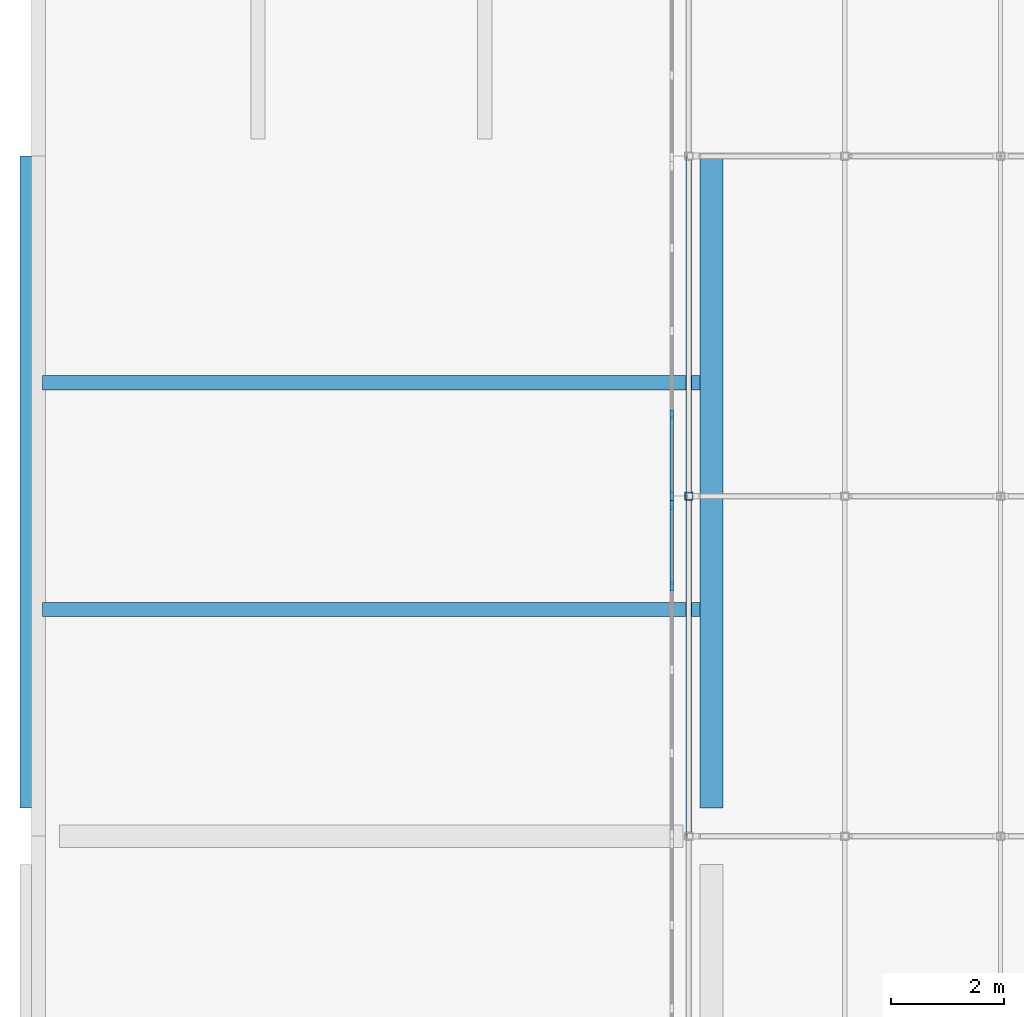
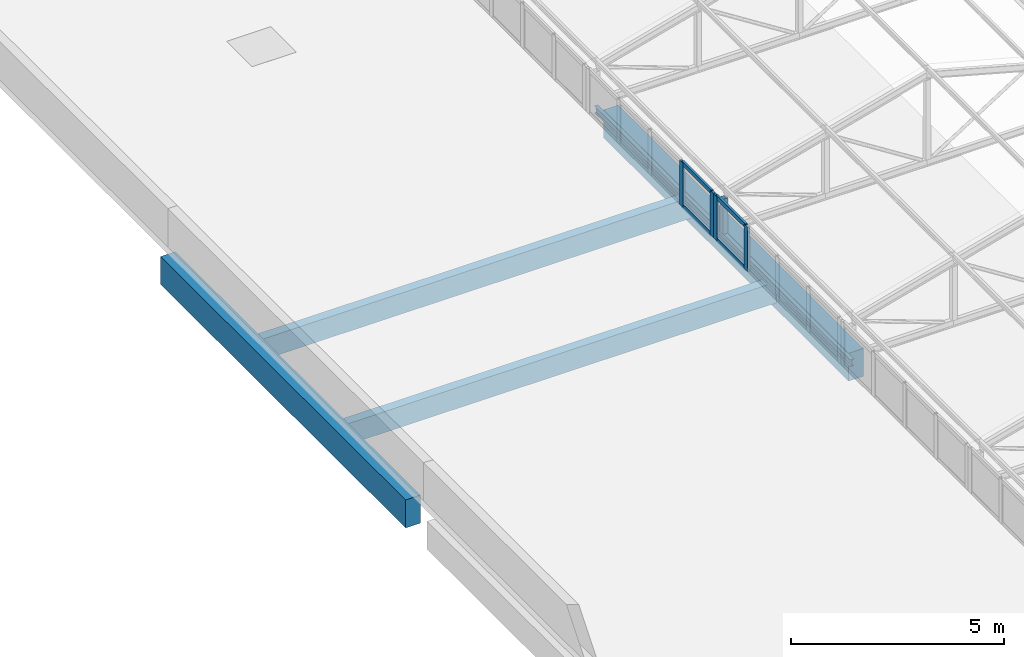
# One storey, part 37 of 94: 9 members, 5 beams, 2 elements without a shape of their own.
"""IFC4 building model written with IfcOpenShell, lengths in metres."""

from ifc_helpers import new_model, si_unit, direction, frame, origin, origin_2d, place, context, subcontext, project, spatial, rectangle, hollow_rectangle, i_section, extrude, material, layer, layer_set, material_profile, profile_set, type_object, element, aggregate, save


model = new_model("IFC4")

# Units and contexts
model_context = context("Model", 3, precision=1e-05, world=origin(), true_north=direction((0.0, 1.0)))
body_context = subcontext(model_context, "Body", "Model", "MODEL_VIEW")
ifc_project = project(units=[si_unit("LENGTHUNIT", "METRE"), si_unit("AREAUNIT", "SQUARE_METRE"), si_unit("VOLUMEUNIT", "CUBIC_METRE"), si_unit("PLANEANGLEUNIT", "RADIAN"), si_unit("MASSUNIT", "GRAM", prefix="KILO")], contexts=[model_context])

# Site, building, storey
site_placement = place(None, origin())
site = spatial("IfcSite", under=ifc_project, at=site_placement, CompositionType="ELEMENT")
building_placement = place(site_placement, origin())
building = spatial("IfcBuilding", under=site, at=building_placement, Name="Lilac Gate Convention Centre", CompositionType="ELEMENT")
storey_placement = place(building_placement, frame((0.0, 0.0, 21.0)))
storey = spatial("IfcBuildingStorey", under=building, at=storey_placement, Name="L04", CompositionType="ELEMENT", Elevation=21.0)

# Curtain wall, members
ifc_material_1 = material(Name="Aluminium framed double glazing", Category="aluminium")
ifc_layer = layer(ifc_material_1, 0.199951171875)
ifc_layer_set = layer_set([ifc_layer], Name="Aluminium framed double glazing")
curtain_wall_type = type_object("IfcCurtainWallType", Name="Unitised curtain wall 1500", PredefinedType="NOTDEFINED", material=ifc_layer_set)
curtain_wall_1_placement = place(storey_placement, origin())
curtain_wall_1 = element("IfcCurtainWall", 1, at=curtain_wall_1_placement, inside=storey, type_object=curtain_wall_type, Name="Lantern clerestory W 19", PredefinedType="NOTDEFINED")
ifc_material_2 = material(Name="Aluminium alloy 6063", Category="aluminium")
ifc_material_profile_1 = material_profile(ifc_material_2, rectangle(XDim=0.06005859375, YDim=0.159912109375, at=origin_2d()), Name="Curtain wall mullion 60 x 160")
ifc_profile_set_1 = profile_set([ifc_material_profile_1], Name="Aluminium alloy 6063")
member_type_1 = type_object("IfcMemberType", Name="Curtain wall mullion 60 x 160", PredefinedType="MULLION", material=ifc_profile_set_1)
member_1_placement = place(storey_placement, frame((17.300048828125, 142.40625, 0.0), z_axis=(0.0, 0.0, 1.0), x_axis=(-1.0, 0.0, 0.0)))
member_1 = element("IfcMember", 2, at=member_1_placement, type_object=member_type_1, Name="CW mullion 4", PredefinedType="MULLION", context=body_context, shape_type="SweptSolid", body=[
    extrude(rectangle(XDim=0.06005859375, YDim=0.159912109375, at=origin_2d()), origin(), (0.0, 0.0, 1.0), 1.272216796875),
])
member_2_placement = place(storey_placement, frame((17.300048828125, 143.844970703125, 0.0), z_axis=(0.0, 0.0, 1.0), x_axis=(-1.0, 0.0, 0.0)))
member_2 = element("IfcMember", 3, at=member_2_placement, type_object=member_type_1, Name="CW mullion 5", PredefinedType="MULLION", context=body_context, shape_type="SweptSolid", body=[
    extrude(rectangle(XDim=0.06005859375, YDim=0.159912109375, at=origin_2d()), origin(), (0.0, 0.0, 1.0), 1.272216796875),
])

curtain_wall_2_placement = place(storey_placement, origin())
curtain_wall_2 = element("IfcCurtainWall", 4, at=curtain_wall_2_placement, inside=storey, type_object=curtain_wall_type, Name="Lantern clerestory W 20", PredefinedType="NOTDEFINED")
member_3_placement = place(storey_placement, frame((17.300048828125, 144.005126953125, 0.0), z_axis=(0.0, 0.0, 1.0), x_axis=(-1.0, 0.0, 0.0)))
member_3 = element("IfcMember", 5, at=member_3_placement, type_object=member_type_1, Name="CW mullion 1", PredefinedType="MULLION", context=body_context, shape_type="SweptSolid", body=[
    extrude(rectangle(XDim=0.06005859375, YDim=0.159912109375, at=origin_2d()), origin(), (0.0, 0.0, 1.0), 1.272216796875),
])
member_4_placement = place(storey_placement, frame((17.300048828125, 145.44384765625, 0.0), z_axis=(0.0, 0.0, 1.0), x_axis=(-1.0, 0.0, 0.0)))
member_4 = element("IfcMember", 6, at=member_4_placement, type_object=member_type_1, Name="CW mullion 2", PredefinedType="MULLION", context=body_context, shape_type="SweptSolid", body=[
    extrude(rectangle(XDim=0.06005859375, YDim=0.159912109375, at=origin_2d()), origin(), (0.0, 0.0, 1.0), 1.272216796875),
])

# Member
ifc_material_profile_2 = material_profile(ifc_material_2, rectangle(XDim=0.06005859375, YDim=0.1201171875, at=origin_2d()), Name="Curtain wall transom 60 x 120")
ifc_profile_set_2 = profile_set([ifc_material_profile_2], Name="Aluminium alloy 6063")
member_type_2 = type_object("IfcMemberType", Name="Curtain wall transom 60 x 120", PredefinedType="USERDEFINED", material=ifc_profile_set_2)
member_5_placement = place(storey_placement, frame((17.300048828125, 142.436279296875, 0.030029296875), z_axis=(0.0, 1.0, 0.0), x_axis=(-1.0, 0.0, 0.0)))
member_5 = element("IfcMember", 7, at=member_5_placement, type_object=member_type_2, Name="CW transom 4.1", ObjectType="TRANSOM", PredefinedType="USERDEFINED", context=body_context, shape_type="SweptSolid", body=[
    extrude(rectangle(XDim=0.06005859375, YDim=0.1201171875, at=origin_2d()), origin(), (0.0, 0.0, 1.0), 1.378662109375),
])

member_6_placement = place(storey_placement, frame((17.300048828125, 142.436279296875, 1.2421875), z_axis=(0.0, 1.0, 0.0), x_axis=(-1.0, 0.0, 0.0)))
member_6 = element("IfcMember", 8, at=member_6_placement, type_object=member_type_2, Name="CW transom 4.2", ObjectType="TRANSOM", PredefinedType="USERDEFINED", context=body_context, shape_type="SweptSolid", body=[
    extrude(rectangle(XDim=0.06005859375, YDim=0.1201171875, at=origin_2d()), origin(), (0.0, 0.0, 1.0), 1.378662109375),
])

aggregate(curtain_wall_1, [member_1, member_2, member_5, member_6])

member_7_placement = place(storey_placement, frame((17.300048828125, 144.03515625, 0.030029296875), z_axis=(0.0, 1.0, 0.0), x_axis=(-1.0, 0.0, 0.0)))
member_7 = element("IfcMember", 9, at=member_7_placement, type_object=member_type_2, Name="CW transom 1.1", ObjectType="TRANSOM", PredefinedType="USERDEFINED", context=body_context, shape_type="SweptSolid", body=[
    extrude(rectangle(XDim=0.06005859375, YDim=0.1201171875, at=origin_2d()), origin(), (0.0, 0.0, 1.0), 1.378662109375),
])

member_8_placement = place(storey_placement, frame((17.300048828125, 144.03515625, 1.2421875), z_axis=(0.0, 1.0, 0.0), x_axis=(-1.0, 0.0, 0.0)))
member_8 = element("IfcMember", 10, at=member_8_placement, type_object=member_type_2, Name="CW transom 1.2", ObjectType="TRANSOM", PredefinedType="USERDEFINED", context=body_context, shape_type="SweptSolid", body=[
    extrude(rectangle(XDim=0.06005859375, YDim=0.1201171875, at=origin_2d()), origin(), (0.0, 0.0, 1.0), 1.378662109375),
])

aggregate(curtain_wall_2, [member_3, member_4, member_7, member_8])

ifc_material_3 = material(Name="Steel Q355B", Category="steel")
ifc_material_profile_3 = material_profile(ifc_material_3, hollow_rectangle(XDim=0.139892578125, YDim=0.139892578125, WallThickness=0.0048828125, InnerFilletRadius=0.0048828125, OuterFilletRadius=0.010009765625, at=origin_2d()), Name="SHS140x140x5")
ifc_profile_set_3 = profile_set([ifc_material_profile_3], Name="Steel Q355B")
member_type_3 = type_object("IfcMemberType", Name="Lantern post SHS140x140x5", PredefinedType="STRUT", material=ifc_profile_set_3)
member_9_placement = place(storey_placement, frame((17.60009765625, 144.0, 0.0), z_axis=(0.0, 0.0, 1.0), x_axis=(1.0, 0.0, 0.0)))
element("IfcMember", 11, at=member_9_placement, inside=storey, type_object=member_type_3, Name="LV1 lantern truss 20 post 1", PredefinedType="STRUT", context=body_context, shape_type="SweptSolid", body=[
    extrude(hollow_rectangle(XDim=0.139892578125, YDim=0.139892578125, WallThickness=0.0048828125, InnerFilletRadius=0.0048828125, OuterFilletRadius=0.010009765625, at=origin_2d()), origin(), (0.0, 0.0, 1.0), 1.001953125),
])

# Beams
ifc_material_profile_4 = material_profile(ifc_material_3, i_section(OverallWidth=0.10009765625, OverallDepth=0.199951171875, WebThickness=0.005615234375, FlangeThickness=0.008056640625, FilletRadius=0.008056640625, at=origin_2d()), Name="HN200x100x5.5x8")
ifc_profile_set_4 = profile_set([ifc_material_profile_4], Name="Steel Q355B")
beam_type_1 = type_object("IfcBeamType", Name="Steel edge beam HN200x100x5.5x8", PredefinedType="BEAM", material=ifc_profile_set_4)
beam_placement = place(storey_placement, frame((17.60009765625, 138.0, -0.10009765625), z_axis=(0.0, 1.0, 0.0), x_axis=(-1.0, 0.0, 0.0)))
element("IfcBeam", 12, at=beam_placement, inside=storey, type_object=beam_type_1, Name="LE2 lantern west edge beam 10", PredefinedType="BEAM", context=body_context, shape_type="SweptSolid", body=[
    extrude(i_section(OverallWidth=0.10009765625, OverallDepth=0.199951171875, WebThickness=0.005615234375, FlangeThickness=0.008056640625, FilletRadius=0.008056640625, at=origin_2d()), origin(), (0.0, 0.0, 1.0), 12.0),
])
ifc_material_4 = material(Name="Concrete C40", Category="concrete")
ifc_material_profile_5 = material_profile(ifc_material_4, rectangle(XDim=0.39990234375, YDim=0.800048828125, at=origin_2d()), Name="RC 400x800")
ifc_profile_set_5 = profile_set([ifc_material_profile_5], Name="Concrete C40")
beam_type_2 = type_object("IfcBeamType", Name="Tower primary beam 400x800 C40", PredefinedType="BEAM", material=ifc_profile_set_5)
for number, where, z_axis, x_axis, name in (
    (13, (6.0, 138.5, -0.60009765625), (0.0, 1.0, 0.0), (-1.0, 0.0, 0.0), "RB3 L04 1/K-1/L"),
    (14, (18.0, 138.5, -0.60009765625), (0.0, 1.0, 0.0), (-1.0, 0.0, 0.0), "RB3 L04 2/K-2/L"),
):
    element("IfcBeam", number, at=place(storey_placement, frame(where, z_axis=z_axis, x_axis=x_axis)), inside=storey, type_object=beam_type_2, Name=name, PredefinedType="BEAM", context=body_context, shape_type="SweptSolid", body=[
        extrude(rectangle(XDim=0.39990234375, YDim=0.800048828125, at=origin_2d()), origin(), (0.0, 0.0, 1.0), 11.5),
    ])
ifc_material_profile_6 = material_profile(ifc_material_4, rectangle(XDim=0.25, YDim=0.60009765625, at=origin_2d()), Name="RC 250x600")
ifc_profile_set_6 = profile_set([ifc_material_profile_6], Name="Concrete C40")
beam_type_3 = type_object("IfcBeamType", Name="Tower secondary beam 250x600 C40", PredefinedType="BEAM", material=ifc_profile_set_6)
for number, where, z_axis, x_axis, name in (
    (15, (6.199951171875, 142.0, -0.5), (1.0, 0.0, 0.0), (0.0, 1.0, 0.0), "RB4 L04 bay 1/K"),
    (16, (6.199951171875, 146.0, -0.5), (1.0, 0.0, 0.0), (0.0, 1.0, 0.0), "RB4 L04 bay 1/K"),
):
    element("IfcBeam", number, at=place(storey_placement, frame(where, z_axis=z_axis, x_axis=x_axis)), inside=storey, type_object=beam_type_3, Name=name, PredefinedType="BEAM", context=body_context, shape_type="SweptSolid", body=[
        extrude(rectangle(XDim=0.25, YDim=0.60009765625, at=origin_2d()), origin(), (0.0, 0.0, 1.0), 11.60009765625),
    ])

save(model, "model.ifc")
